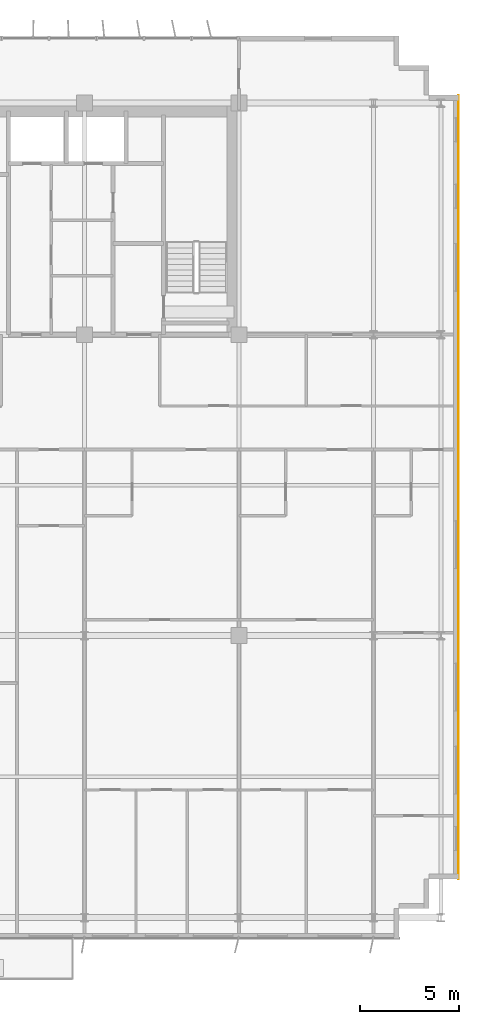
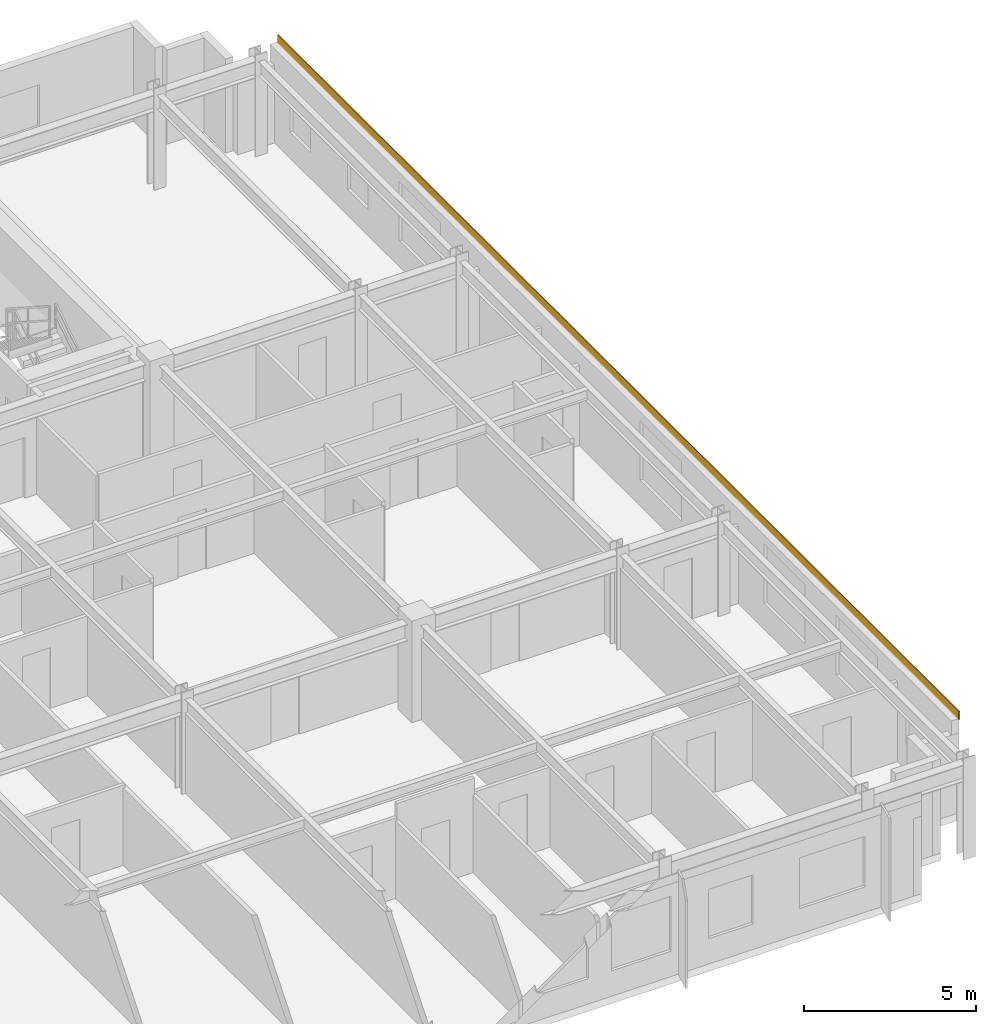
# One storey, part 22 of 22: 1 covering.
"""IFC4 building model written with IfcOpenShell, lengths in metres."""

from ifc_helpers import new_model, si_unit, direction, frame, origin, origin_2d, place, context, subcontext, project, spatial, rectangle, extrude, source, transform, mapped, material, layer, layer_set, type_object, element, save


model = new_model("IFC4")

# Units and contexts
model_context = context("Model", 3, precision=1e-05, world=origin(), true_north=direction((0.0, 1.0)))
body_context = subcontext(model_context, "Body", "Model", "MODEL_VIEW")
ifc_project = project(units=[si_unit("LENGTHUNIT", "METRE"), si_unit("AREAUNIT", "SQUARE_METRE"), si_unit("VOLUMEUNIT", "CUBIC_METRE"), si_unit("PLANEANGLEUNIT", "RADIAN"), si_unit("MASSUNIT", "GRAM", prefix="KILO")], contexts=[model_context])

# Site, building, storey
site_placement = place(None, origin())
site = spatial("IfcSite", under=ifc_project, at=site_placement, CompositionType="ELEMENT")
building_placement = place(site_placement, origin())
building = spatial("IfcBuilding", under=site, at=building_placement, Name="Trelvane Seafront Commons", CompositionType="ELEMENT")
storey_placement = place(building_placement, frame((0.0, 0.0, 99.699951171875)))
storey = spatial("IfcBuildingStorey", under=building, at=storey_placement, Name="L25", CompositionType="ELEMENT", Elevation=99.699951171875)

# Covering
ifc_material = material(Name="Anodised pale-silver aluminium", Category="aluminium")
ifc_layer = layer(ifc_material, 0.034912109375, Name="ARCH-COV-CLAD35")
ifc_layer_set = layer_set([ifc_layer], Name="Anodised pale-silver aluminium")
covering_type = type_object("IfcCoveringType", Name="ARCH-COV-CLAD35", PredefinedType="CLADDING", material=ifc_layer_set)
shared_shape = source(origin(), body_context, "Body", "SweptSolid", [
    extrude(rectangle(XDim=39.60009765625, YDim=0.034912109375, at=origin_2d()), origin(), (0.0, 0.0, 1.0), 0.300048828125),
])
covering_placement = place(storey_placement, frame((69.89990234375, 25.699951171875, 3.2998046875), z_axis=(0.0, 0.0, 1.0), x_axis=(0.0, -1.0, 0.0)))
element("IfcCovering", 1, at=covering_placement, inside=storey, type_object=covering_type, Name="CLD-L25-00107", PredefinedType="CLADDING", context=body_context, shape_type="MappedRepresentation", body=[
    mapped(shared_shape, transform((0.0, 0.0, 0.0), x_axis=(1.0, 0.0, 0.0), y_axis=(0.0, 1.0, 0.0), z_axis=(0.0, 0.0, 1.0), scale=1.0)),
])

save(model, "model.ifc")
